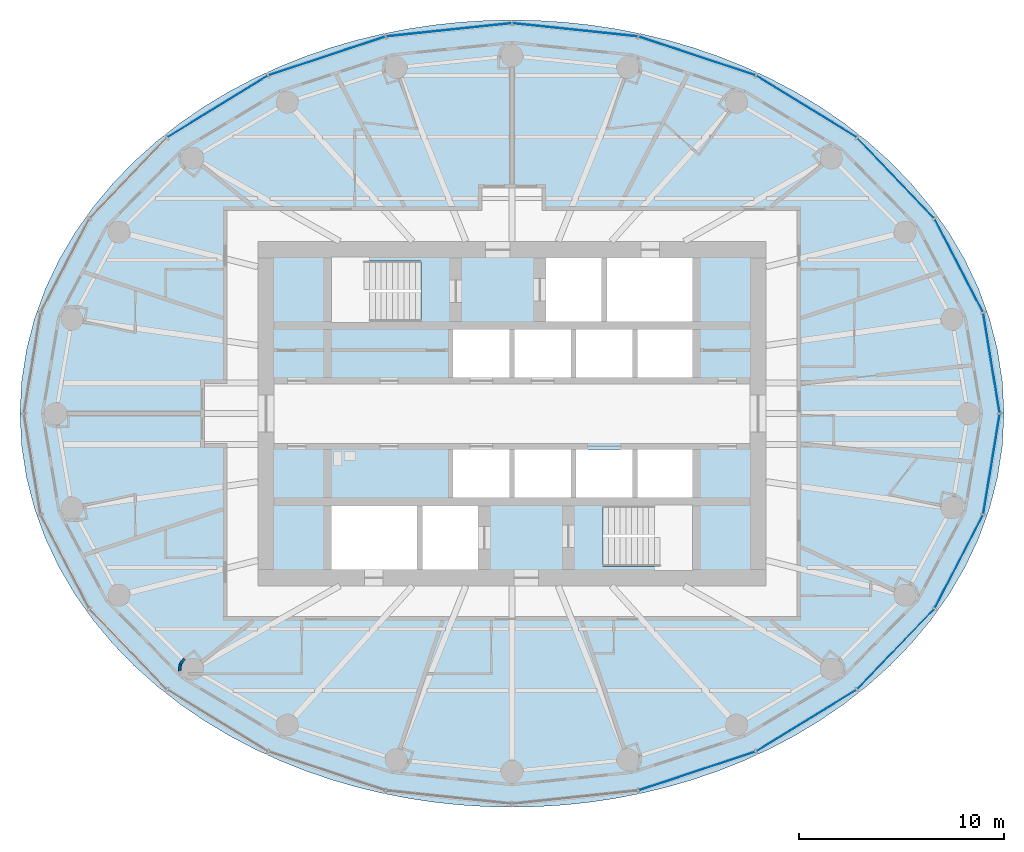
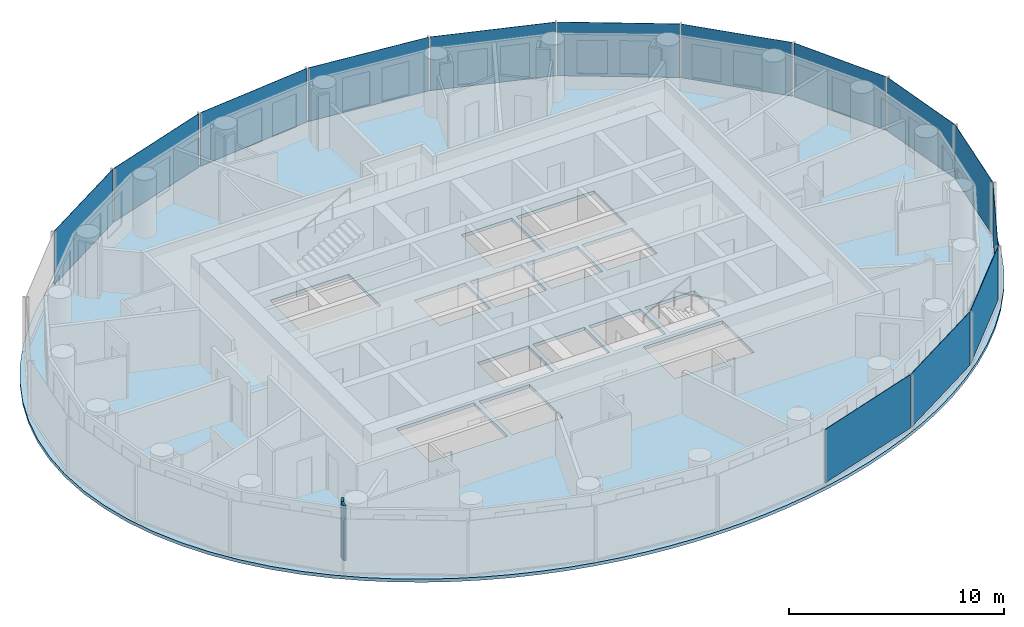
# One storey, part 5 of 16: 14 plates, 2 walls, 1 slab, 3 elements without a shape of their own.
"""IFC4 building model written with IfcOpenShell, lengths in metres."""

import ifcopenshell
import ifcopenshell.guid

model = None  # the IFC model being written
_history = None  # IfcOwnerHistory: only IFC2X3 demands one
_inside = {}  # id of a spatial element -> (the spatial element, [elements in it])
_under = {}  # id of a project, library or spatial element -> (it, [spatial elements below it])
_declared = {}  # id of a project -> (the project, [libraries it declares])
_typed = {}  # id of a type object -> (the type object, [elements of that type])
_made_of = {}  # id of a material, layer set ... -> (it, [elements and type objects made of it])


def new_model(schema):
    """Start an empty IFC model of exactly this schema.

    Asked for "IFC4X3", IfcOpenShell would pick the latest addendum, in which some entities
    have other attributes; the version numbers below select the first issue.
    IFC2X3 requires an IfcOwnerHistory on every rooted entity: one is made here for all.
    """
    global model, _history
    if schema == "IFC4X3":
        model = ifcopenshell.file(schema_version=(4, 3, 0, 0))
    else:
        model = ifcopenshell.file(schema=schema)
    _inside.clear()
    _under.clear()
    _declared.clear()
    _typed.clear()
    _made_of.clear()
    _history = None
    if model.schema == "IFC2X3":
        org = make("IfcOrganization", Name="unknown")
        user = make(
            "IfcPersonAndOrganization",
            ThePerson=make("IfcPerson", FamilyName="unknown"),
            TheOrganization=org,
        )
        app = make(
            "IfcApplication",
            ApplicationDeveloper=org,
            Version="unknown",
            ApplicationFullName="unknown",
            ApplicationIdentifier="unknown",
        )
        _history = make(
            "IfcOwnerHistory",
            OwningUser=user,
            OwningApplication=app,
            ChangeAction="ADDED",
            CreationDate=0,
        )
    return model


def make(cls, **values):
    """One entity of the class cls with the attributes given. An attribute that is None is left unset."""
    return model.create_entity(
        cls, **{name: value for name, value in values.items() if value is not None}
    )


def rooted(cls, **values):
    """An entity with a GlobalId (a new one), such as an element, a storey or a relation."""
    return make(cls, GlobalId=ifcopenshell.guid.new(), OwnerHistory=_history, **values)


def si_unit(unit_type, name, prefix=None):
    """IfcSIUnit, for example si_unit("LENGTHUNIT", "METRE", prefix="MILLI")."""
    return make("IfcSIUnit", UnitType=unit_type, Prefix=prefix, Name=name)


def assignment(units):
    """IfcUnitAssignment: the units of a project."""
    return None if units is None else make("IfcUnitAssignment", Units=units)


def point(xyz):
    """IfcCartesianPoint."""
    return None if xyz is None else make("IfcCartesianPoint", Coordinates=xyz)


def direction(xyz):
    """IfcDirection."""
    return None if xyz is None else make("IfcDirection", DirectionRatios=xyz)


def frame(location, z_axis=None, x_axis=None):
    """IfcAxis2Placement3D, a coordinate frame: its origin and axes. An axis left out is left unset."""
    return make(
        "IfcAxis2Placement3D",
        Location=point(location),
        Axis=direction(z_axis),
        RefDirection=direction(x_axis),
    )


def frame_2d(location, x_axis=None):
    """IfcAxis2Placement2D, a coordinate frame in the plane: its origin and x axis."""
    return make(
        "IfcAxis2Placement2D", Location=point(location), RefDirection=direction(x_axis)
    )


def origin():
    """The frame at (0, 0, 0) with its axes left unset."""
    return frame((0.0, 0.0, 0.0))


def origin_2d():
    """The frame at (0, 0) in the plane with its x axis left unset."""
    return frame_2d((0.0, 0.0))


def place(relative_to, where):
    """IfcLocalPlacement: puts the frame where relative to a parent placement (None: the world)."""
    return make(
        "IfcLocalPlacement", PlacementRelTo=relative_to, RelativePlacement=where
    )


def context(
    kind, dimensions, precision=None, world=None, true_north=None, identifier=None
):
    """IfcGeometricRepresentationContext, for example the 3D "Model" context."""
    return make(
        "IfcGeometricRepresentationContext",
        ContextIdentifier=identifier,
        ContextType=kind,
        CoordinateSpaceDimension=dimensions,
        Precision=precision,
        WorldCoordinateSystem=world,
        TrueNorth=true_north,
    )


def subcontext(parent, identifier, kind, view, scale=None):
    """IfcGeometricRepresentationSubContext, for example "Body" below "Model"."""
    return make(
        "IfcGeometricRepresentationSubContext",
        ContextIdentifier=identifier,
        ContextType=kind,
        ParentContext=parent,
        TargetScale=scale,
        TargetView=view,
    )


def project(units=None, contexts=None):
    """IfcProject with its units and contexts."""
    return rooted(
        "IfcProject",
        Name="project",
        RepresentationContexts=contexts,
        UnitsInContext=assignment(units),
    )


def spatial(cls, under=None, at=None, **own):
    """A site, building, storey or space (cls), placed at a placement, below another one or the project."""
    s = rooted(cls, ObjectPlacement=at, **own)
    if under is not None:
        _under.setdefault(under.id(), (under, []))[1].append(s)
    return s


def polyline(points):
    """IfcPolyline through the points."""
    return make("IfcPolyline", Points=[point(p) for p in points])


def profile(cls, at=None, kind="AREA", **sizes):
    """A parametric profile (cls). Its sizes go by their IFC names, for example OverallWidth=200.0."""
    return make(cls, ProfileType=kind, Position=at, **sizes)


def rectangle(**sizes):
    """IfcRectangleProfileDef."""
    return profile("IfcRectangleProfileDef", **sizes)


def outline(outer, holes=None, kind="AREA"):
    """IfcArbitraryClosedProfileDef: a profile drawn as a closed curve; with holes, ...WithVoids."""
    if holes is None:
        return make("IfcArbitraryClosedProfileDef", ProfileType=kind, OuterCurve=outer)
    return make(
        "IfcArbitraryProfileDefWithVoids",
        ProfileType=kind,
        OuterCurve=outer,
        InnerCurves=holes,
    )


def extrude(swept, where, along, depth):
    """IfcExtrudedAreaSolid: the profile swept, set in the frame where, extruded along a direction by depth."""
    return make(
        "IfcExtrudedAreaSolid",
        SweptArea=swept,
        Position=where,
        ExtrudedDirection=direction(along),
        Depth=depth,
    )


def shape(context_of_items, identifier, shape_type, items):
    """IfcShapeRepresentation: the items that make up one representation, for example the "Body"."""
    return make(
        "IfcShapeRepresentation",
        ContextOfItems=context_of_items,
        RepresentationIdentifier=identifier,
        RepresentationType=shape_type,
        Items=items,
    )


def material(Name=None, Category=None):
    """IfcMaterial."""
    return make("IfcMaterial", Name=Name, Category=Category)


def layer(
    of_material, thickness, ventilated=None, Name=None, Category=None, Priority=None
):
    """IfcMaterialLayer: one layer of a wall or slab, of a material (None: an air gap)."""
    return make(
        "IfcMaterialLayer",
        Material=of_material,
        LayerThickness=thickness,
        IsVentilated=ventilated,
        Name=Name,
        Category=Category,
        Priority=Priority,
    )


def layer_set(layers, Name=None):
    """IfcMaterialLayerSet."""
    return make("IfcMaterialLayerSet", MaterialLayers=layers, LayerSetName=Name)


def made_of(thing, what):
    """Note that an element or type object is made of a material, layer set ...; save() writes the relation."""
    if what is not None:
        _made_of.setdefault(what.id(), (what, []))[1].append(thing)
    return thing


def type_object(cls, material=None, **own):
    """A type object (cls), such as IfcWallType, which elements share."""
    return made_of(rooted(cls, **own), material)


def element(
    cls,
    number,
    at=None,
    inside=None,
    cuts=None,
    type_object=None,
    material=None,
    context=None,
    identifier="Body",
    shape_type=None,
    held_by="IfcProductDefinitionShape",
    body=None,
    shapes=None,
    **own,
):
    """One element of the class cls, such as IfcWall. Its Tag is "e" and its number.

    at: its placement. inside: the storey or other place that contains it. cuts: it is an
    opening in that element (IfcRelVoidsElement). A single representation is given by context,
    identifier, shape_type and body (its items); several are given by shapes. held_by: the class
    of the entity that holds the representations. save() writes the other relations.
    """
    e = rooted(cls, Tag="e%d" % number, ObjectPlacement=at, **own)
    if body is not None:
        shapes = [shape(context, identifier, shape_type, body)]
    if shapes is not None:
        e.Representation = make(held_by, Representations=shapes)
    if inside is not None:
        _inside.setdefault(inside.id(), (inside, []))[1].append(e)
    if cuts is not None:
        rooted(
            "IfcRelVoidsElement", RelatingBuildingElement=cuts, RelatedOpeningElement=e
        )
    if type_object is not None:
        _typed.setdefault(type_object.id(), (type_object, []))[1].append(e)
    return made_of(e, material)


def aggregate(whole, parts):
    """IfcRelAggregates: a whole, such as a stair, and the parts it consists of."""
    return rooted("IfcRelAggregates", RelatingObject=whole, RelatedObjects=parts)


def save(model, path):
    """Write the relations noted so far, then the file.

    IfcRelAggregates (storeys below a building ...), IfcRelContainedInSpatialStructure (elements
    in a storey), IfcRelDefinesByType, IfcRelAssociatesMaterial and IfcRelDeclares: one each for
    every whole, place, type object, material and project.
    """
    for whole, parts in _under.values():
        aggregate(whole, parts)
    for where, things in _inside.values():
        rooted(
            "IfcRelContainedInSpatialStructure",
            RelatedElements=things,
            RelatingStructure=where,
        )
    for kind, things in _typed.values():
        rooted("IfcRelDefinesByType", RelatedObjects=things, RelatingType=kind)
    for what, things in _made_of.values():
        rooted("IfcRelAssociatesMaterial", RelatedObjects=things, RelatingMaterial=what)
    for by, libraries in _declared.values():
        rooted("IfcRelDeclares", RelatingContext=by, RelatedDefinitions=libraries)
    model.write(path)


model = new_model("IFC4")

# Units and contexts
model_context = context("Model", 3, precision=1e-05, world=origin(), true_north=direction((0.0, 1.0)))
body_context = subcontext(model_context, "Body", "Model", "MODEL_VIEW")
ifc_project = project(units=[si_unit("LENGTHUNIT", "METRE"), si_unit("AREAUNIT", "SQUARE_METRE"), si_unit("VOLUMEUNIT", "CUBIC_METRE"), si_unit("PLANEANGLEUNIT", "RADIAN"), si_unit("MASSUNIT", "GRAM", prefix="KILO")], contexts=[model_context])

# Site, building, storey
site_placement = place(None, origin())
site = spatial("IfcSite", under=ifc_project, at=site_placement, CompositionType="ELEMENT")
building_placement = place(site_placement, origin())
building = spatial("IfcBuilding", under=site, at=building_placement, Name="Hankou Lantern Tower", CompositionType="ELEMENT")
storey_placement = place(building_placement, frame((0.0, 0.0, 166.5)))
storey = spatial("IfcBuildingStorey", under=building, at=storey_placement, Name="L44", CompositionType="ELEMENT", Elevation=166.5)

# Curtain wall, plates
ifc_material_1 = material(Name="Glass, dark grey tinted laminated", Category="glass")
curtain_wall_type = type_object("IfcCurtainWallType", Name="CWC OUTER SKIN HIGH-RISE", PredefinedType="USERDEFINED", material=ifc_material_1)
curtain_wall_1_placement = place(storey_placement, origin())
curtain_wall_1 = element("IfcCurtainWall", 1, at=curtain_wall_1_placement, inside=storey, type_object=curtain_wall_type, Name="CWC L44 OS1", ObjectType="OUTER SKIN HIGH-RISE", PredefinedType="USERDEFINED")
ifc_material_2 = material(Name="Glass, dark grey tinted laminated", Category="glass")
ifc_layer_1 = layer(ifc_material_2, 0.02392578125)
ifc_layer_set_1 = layer_set([ifc_layer_1], Name="Glass, dark grey tinted laminated")
plate_type = type_object("IfcPlateType", Name="PN1 OUTER SKIN GLASS PANEL", PredefinedType="CURTAIN_PANEL", material=ifc_layer_set_1)
plate_1_placement = place(storey_placement, frame((23.39453125, 2.4638671875, 0.080078125), z_axis=(0.0, 0.0, 1.0), x_axis=(-0.162381515188, 0.986728049427, 0.0)))
plate_1 = element("IfcPlate", 2, at=plate_1_placement, type_object=plate_type, Name="CWC glass panel 1", PredefinedType="CURTAIN_PANEL", context=body_context, shape_type="SweptSolid", body=[
    extrude(rectangle(XDim=4.914306640625, YDim=0.02392578125, at=origin_2d()), origin(), (0.0, 0.0, 1.0), 3.0400390625),
])
plate_2_placement = place(storey_placement, frame((21.80029296875, 7.223876953125, 0.080078125), z_axis=(0.0, 0.0, 1.0), x_axis=(-0.459791091957, 0.888027112062, 0.0)))
plate_2 = element("IfcPlate", 3, at=plate_2_placement, type_object=plate_type, Name="CWC glass panel 2", PredefinedType="CURTAIN_PANEL", context=body_context, shape_type="SweptSolid", body=[
    extrude(rectangle(XDim=5.091064453125, YDim=0.02392578125, at=origin_2d()), origin(), (0.0, 0.0, 1.0), 3.0400390625),
])
plate_3_placement = place(storey_placement, frame((18.72021484375, 11.49169921875, 0.080078125), z_axis=(0.0, 0.0, 1.0), x_axis=(-0.692215809936, 0.721690565599, 0.0)))
plate_3 = element("IfcPlate", 4, at=plate_3_placement, type_object=plate_type, Name="CWC glass panel 3", PredefinedType="CURTAIN_PANEL", context=body_context, shape_type="SweptSolid", body=[
    extrude(rectangle(XDim=5.384033203125, YDim=0.02392578125, at=origin_2d()), origin(), (0.0, 0.0, 1.0), 3.0400390625),
])
plate_4_placement = place(storey_placement, frame((14.364501953125, 14.976318359375, 0.080078125), z_axis=(0.0, 0.0, 1.0), x_axis=(-0.852237151549, 0.523155653242, 0.0)))
plate_4 = element("IfcPlate", 5, at=plate_4_placement, type_object=plate_type, Name="CWC glass panel 4", PredefinedType="CURTAIN_PANEL", context=body_context, shape_type="SweptSolid", body=[
    extrude(rectangle(XDim=5.703857421875, YDim=0.02392578125, at=origin_2d()), origin(), (0.0, 0.0, 1.0), 3.0400390625),
])
plate_5_placement = place(storey_placement, frame((9.030029296875, 17.440185546875, 0.080078125), z_axis=(0.0, 0.0, 1.0), x_axis=(-0.949240677293, 0.31455068999, 0.0)))
plate_5 = element("IfcPlate", 6, at=plate_5_placement, type_object=plate_type, Name="CWC glass panel 5", PredefinedType="CURTAIN_PANEL", context=body_context, shape_type="SweptSolid", body=[
    extrude(rectangle(XDim=5.967041015625, YDim=0.02392578125, at=origin_2d()), origin(), (0.0, 0.0, 1.0), 3.0400390625),
])
plate_6_placement = place(storey_placement, frame((3.079833984375, 18.715576171875, 0.080078125), z_axis=(0.0, 0.0, 1.0), x_axis=(-0.994499359107, 0.104742659579, 0.0)))
plate_6 = element("IfcPlate", 7, at=plate_6_placement, type_object=plate_type, Name="CWC glass panel 6", PredefinedType="CURTAIN_PANEL", context=body_context, shape_type="SweptSolid", body=[
    extrude(rectangle(XDim=6.114013671875, YDim=0.02392578125, at=origin_2d()), origin(), (0.0, 0.0, 1.0), 3.0400390625),
])
aggregate(curtain_wall_1, [plate_1, plate_2, plate_3, plate_4, plate_5, plate_6])

curtain_wall_2_placement = place(storey_placement, origin())
curtain_wall_2 = element("IfcCurtainWall", 8, at=curtain_wall_2_placement, inside=storey, type_object=curtain_wall_type, Name="CWC L44 OS2", ObjectType="OUTER SKIN HIGH-RISE", PredefinedType="USERDEFINED")
plate_7_placement = place(storey_placement, frame((-3.079833984375, 18.715576171875, 0.080078125), z_axis=(0.0, 0.0, 1.0), x_axis=(-0.994499359107, -0.104742659579, 0.0)))
plate_7 = element("IfcPlate", 9, at=plate_7_placement, type_object=plate_type, Name="CWC glass panel 1", PredefinedType="CURTAIN_PANEL", context=body_context, shape_type="SweptSolid", body=[
    extrude(rectangle(XDim=6.114013671875, YDim=0.02392578125, at=origin_2d()), origin(), (0.0, 0.0, 1.0), 3.0400390625),
])
plate_8_placement = place(storey_placement, frame((-9.030029296875, 17.440185546875, 0.080078125), z_axis=(0.0, 0.0, 1.0), x_axis=(-0.949240677293, -0.31455068999, 0.0)))
plate_8 = element("IfcPlate", 10, at=plate_8_placement, type_object=plate_type, Name="CWC glass panel 2", PredefinedType="CURTAIN_PANEL", context=body_context, shape_type="SweptSolid", body=[
    extrude(rectangle(XDim=5.967041015625, YDim=0.02392578125, at=origin_2d()), origin(), (0.0, 0.0, 1.0), 3.0400390625),
])
plate_9_placement = place(storey_placement, frame((-14.364501953125, 14.976318359375, 0.080078125), z_axis=(0.0, 0.0, 1.0), x_axis=(-0.852237151549, -0.523155653242, 0.0)))
plate_9 = element("IfcPlate", 11, at=plate_9_placement, type_object=plate_type, Name="CWC glass panel 3", PredefinedType="CURTAIN_PANEL", context=body_context, shape_type="SweptSolid", body=[
    extrude(rectangle(XDim=5.703857421875, YDim=0.02392578125, at=origin_2d()), origin(), (0.0, 0.0, 1.0), 3.0400390625),
])
aggregate(curtain_wall_2, [plate_7, plate_8, plate_9])

curtain_wall_3_placement = place(storey_placement, origin())
curtain_wall_3 = element("IfcCurtainWall", 12, at=curtain_wall_3_placement, inside=storey, type_object=curtain_wall_type, Name="CWC L44 OS4", ObjectType="OUTER SKIN HIGH-RISE", PredefinedType="USERDEFINED")
plate_10_placement = place(storey_placement, frame((9.030029296875, -17.440185546875, 0.080078125), z_axis=(0.0, 0.0, 1.0), x_axis=(0.949240677293, 0.31455068999, 0.0)))
plate_10 = element("IfcPlate", 13, at=plate_10_placement, type_object=plate_type, Name="CWC glass panel 2", PredefinedType="CURTAIN_PANEL", context=body_context, shape_type="SweptSolid", body=[
    extrude(rectangle(XDim=5.967041015625, YDim=0.02392578125, at=origin_2d()), origin(), (0.0, 0.0, 1.0), 3.0400390625),
])
plate_11_placement = place(storey_placement, frame((14.364501953125, -14.976318359375, 0.080078125), z_axis=(0.0, 0.0, 1.0), x_axis=(0.852237151549, 0.523155653242, 0.0)))
plate_11 = element("IfcPlate", 14, at=plate_11_placement, type_object=plate_type, Name="CWC glass panel 3", PredefinedType="CURTAIN_PANEL", context=body_context, shape_type="SweptSolid", body=[
    extrude(rectangle(XDim=5.703857421875, YDim=0.02392578125, at=origin_2d()), origin(), (0.0, 0.0, 1.0), 3.0400390625),
])
plate_12_placement = place(storey_placement, frame((18.72021484375, -11.49169921875, 0.080078125), z_axis=(0.0, 0.0, 1.0), x_axis=(0.692215809936, 0.721690565599, 0.0)))
plate_12 = element("IfcPlate", 15, at=plate_12_placement, type_object=plate_type, Name="CWC glass panel 4", PredefinedType="CURTAIN_PANEL", context=body_context, shape_type="SweptSolid", body=[
    extrude(rectangle(XDim=5.384033203125, YDim=0.02392578125, at=origin_2d()), origin(), (0.0, 0.0, 1.0), 3.0400390625),
])
plate_13_placement = place(storey_placement, frame((21.80029296875, -7.223876953125, 0.080078125), z_axis=(0.0, 0.0, 1.0), x_axis=(0.459791091957, 0.888027112062, 0.0)))
plate_13 = element("IfcPlate", 16, at=plate_13_placement, type_object=plate_type, Name="CWC glass panel 5", PredefinedType="CURTAIN_PANEL", context=body_context, shape_type="SweptSolid", body=[
    extrude(rectangle(XDim=5.091064453125, YDim=0.02392578125, at=origin_2d()), origin(), (0.0, 0.0, 1.0), 3.0400390625),
])
plate_14_placement = place(storey_placement, frame((23.39453125, -2.4638671875, 0.080078125), z_axis=(0.0, 0.0, 1.0), x_axis=(0.162381515188, 0.986728049427, 0.0)))
plate_14 = element("IfcPlate", 17, at=plate_14_placement, type_object=plate_type, Name="CWC glass panel 6", PredefinedType="CURTAIN_PANEL", context=body_context, shape_type="SweptSolid", body=[
    extrude(rectangle(XDim=4.914306640625, YDim=0.02392578125, at=origin_2d()), origin(), (0.0, 0.0, 1.0), 3.0400390625),
])
aggregate(curtain_wall_3, [plate_10, plate_11, plate_12, plate_13, plate_14])

# Slab
ifc_material_3 = material(Name="Concrete C50", Category="concrete")
ifc_layer_2 = layer(ifc_material_3, 0.179931640625)
ifc_layer_set_2 = layer_set([ifc_layer_2], Name="Concrete C50")
slab_type = type_object("IfcSlabType", Name="S1 CONCRETE FLOOR SLAB 180", PredefinedType="FLOOR", material=ifc_layer_set_2)
slab_placement = place(storey_placement, frame((0.0, 0.0, -0.179931640625)))
element("IfcSlab", 18, at=slab_placement, inside=storey, type_object=slab_type, Name="Floor slab L44", PredefinedType="FLOOR", context=body_context, shape_type="SweptSolid", body=[
    extrude(outline(polyline([(24.0, 0.0), (23.919921875, 1.56787109375), (23.681396484375, 3.11767578125), (23.290771484375, 4.6328125), (22.75732421875, 6.097900390625), (22.09326171875, 7.499755859375), (21.312744140625, 8.827880859375), (20.43017578125, 10.0751953125), (19.461181640625, 11.23583984375), (18.420166015625, 12.307861328125), (17.320556640625, 13.29052734375), (16.174560546875, 14.184814453125), (14.99267578125, 14.99267578125), (13.783935546875, 15.717529296875), (12.5556640625, 16.363037109375), (11.31396484375, 16.9326171875), (10.0634765625, 17.4306640625), (8.8076171875, 17.8603515625), (7.54931640625, 18.225341796875), (6.289794921875, 18.52880859375), (5.0302734375, 18.7734375), (3.771728515625, 18.96142578125), (2.513916015625, 19.094482421875), (1.256591796875, 19.173583984375), (0.0, 19.199951171875), (-1.256591796875, 19.173583984375), (-2.513916015625, 19.094482421875), (-3.771728515625, 18.96142578125), (-5.0302734375, 18.7734375), (-6.289794921875, 18.52880859375), (-7.54931640625, 18.225341796875), (-8.8076171875, 17.8603515625), (-10.0634765625, 17.4306640625), (-11.31396484375, 16.9326171875), (-12.5556640625, 16.363037109375), (-13.783935546875, 15.717529296875), (-14.99267578125, 14.99267578125), (-16.174560546875, 14.184814453125), (-17.320556640625, 13.29052734375), (-18.420166015625, 12.307861328125), (-19.461181640625, 11.23583984375), (-20.43017578125, 10.0751953125), (-21.312744140625, 8.827880859375), (-22.09326171875, 7.499755859375), (-22.75732421875, 6.097900390625), (-23.290771484375, 4.6328125), (-23.681396484375, 3.11767578125), (-23.919921875, 1.56787109375), (-24.0, 0.0), (-23.919921875, -1.56787109375), (-23.681396484375, -3.11767578125), (-23.290771484375, -4.6328125), (-22.75732421875, -6.097900390625), (-22.09326171875, -7.499755859375), (-21.312744140625, -8.827880859375), (-20.43017578125, -10.0751953125), (-19.461181640625, -11.23583984375), (-18.420166015625, -12.307861328125), (-17.320556640625, -13.29052734375), (-16.174560546875, -14.184814453125), (-14.99267578125, -14.99267578125), (-13.783935546875, -15.717529296875), (-12.5556640625, -16.363037109375), (-11.31396484375, -16.9326171875), (-10.0634765625, -17.4306640625), (-8.8076171875, -17.8603515625), (-7.54931640625, -18.225341796875), (-6.289794921875, -18.52880859375), (-5.0302734375, -18.7734375), (-3.771728515625, -18.96142578125), (-2.513916015625, -19.094482421875), (-1.256591796875, -19.173583984375), (0.0, -19.199951171875), (1.256591796875, -19.173583984375), (2.513916015625, -19.094482421875), (3.771728515625, -18.96142578125), (5.0302734375, -18.7734375), (6.289794921875, -18.52880859375), (7.54931640625, -18.225341796875), (8.8076171875, -17.8603515625), (10.0634765625, -17.4306640625), (11.31396484375, -16.9326171875), (12.5556640625, -16.363037109375), (13.783935546875, -15.717529296875), (14.99267578125, -14.99267578125), (16.174560546875, -14.184814453125), (17.320556640625, -13.29052734375), (18.420166015625, -12.307861328125), (19.461181640625, -11.23583984375), (20.43017578125, -10.0751953125), (21.312744140625, -8.827880859375), (22.09326171875, -7.499755859375), (22.75732421875, -6.097900390625), (23.290771484375, -4.6328125), (23.681396484375, -3.11767578125), (23.919921875, -1.56787109375), (24.0, 0.0)]), holes=[polyline([(-2.875, 4.10009765625), (-0.125, 4.10009765625), (-0.125, 1.75), (-2.875, 1.75), (-2.875, 4.10009765625)]), polyline([(0.125, 4.10009765625), (2.875, 4.10009765625), (2.875, 1.75), (0.125, 1.75), (0.125, 4.10009765625)]), polyline([(3.125, 4.10009765625), (5.875, 4.10009765625), (5.875, 1.75), (3.125, 1.75), (3.125, 4.10009765625)]), polyline([(6.125, 4.10009765625), (8.800048828125, 4.10009765625), (8.800048828125, 1.75), (6.125, 1.75), (6.125, 4.10009765625)]), polyline([(-2.875, -1.75), (-0.125, -1.75), (-0.125, -4.10009765625), (-2.875, -4.10009765625), (-2.875, -1.75)]), polyline([(0.125, -1.75), (2.875, -1.75), (2.875, -4.10009765625), (0.125, -4.10009765625), (0.125, -1.75)]), polyline([(3.125, -1.75), (5.875, -1.75), (5.875, -4.10009765625), (3.125, -4.10009765625), (3.125, -1.75)]), polyline([(6.125, -1.75), (8.800048828125, -1.75), (8.800048828125, -4.10009765625), (6.125, -4.10009765625), (6.125, -1.75)]), polyline([(1.64990234375, 7.60009765625), (4.375, 7.60009765625), (4.375, 4.5), (1.64990234375, 4.5), (1.64990234375, 7.60009765625)]), polyline([(-4.375, -4.5), (-1.64990234375, -4.5), (-1.64990234375, -7.60009765625), (-4.375, -7.60009765625), (-4.375, -4.5)]), polyline([(-8.699951171875, 7.449951171875), (-4.449951171875, 7.449951171875), (-4.449951171875, 4.5), (-8.699951171875, 4.5), (-8.699951171875, 7.449951171875)]), polyline([(4.449951171875, -4.5), (8.699951171875, -4.5), (8.699951171875, -7.449951171875), (4.449951171875, -7.449951171875), (4.449951171875, -4.5)]), polyline([(4.625, 7.60009765625), (8.800048828125, 7.60009765625), (8.800048828125, 4.5), (4.625, 4.5), (4.625, 7.60009765625)]), polyline([(-8.800048828125, -4.5), (-4.625, -4.5), (-4.625, -7.60009765625), (-8.800048828125, -7.60009765625), (-8.800048828125, -4.5)])]), origin(), (0.0, 0.0, 1.0), 0.179931640625),
])

# Walls
ifc_material_4 = material(Name="Masonry lightweight concrete block", Category="masonry")
ifc_layer_3 = layer(ifc_material_4, 0.1201171875)
ifc_layer_set_3 = layer_set([ifc_layer_3], Name="Masonry lightweight concrete block")
wall_type = type_object("IfcWallType", Name="IW4 PARTITION 120", PredefinedType="PARTITIONING", material=ifc_layer_set_3)
wall_1_placement = place(storey_placement, frame((-15.983642578125, -11.95166015625, 0.0), z_axis=(0.0, 0.0, 1.0), x_axis=(-0.592335221171, -0.805691619517, 0.0)))
element("IfcWall", 19, at=wall_1_placement, inside=storey, type_object=wall_type, Name="Column casing R16", PredefinedType="PARTITIONING", context=body_context, shape_type="SweptSolid", body=[
    extrude(rectangle(XDim=0.337646484375, YDim=0.1201171875, at=frame_2d((0.1689453125, 0.0))), origin(), (0.0, 0.0, 1.0), 3.1201171875),
])
wall_2_placement = place(storey_placement, frame((-16.18359375, -12.2236328125, 0.0), z_axis=(0.0, 0.0, 1.0), x_axis=(-0.110669692975, -0.993857242795, 0.0)))
element("IfcWall", 20, at=wall_2_placement, inside=storey, type_object=wall_type, Name="Column casing R16", PredefinedType="PARTITIONING", context=body_context, shape_type="SweptSolid", body=[
    extrude(rectangle(XDim=0.33740234375, YDim=0.1201171875, at=frame_2d((0.168701171875, 0.0))), origin(), (0.0, 0.0, 1.0), 3.1201171875),
])

save(model, "model.ifc")
